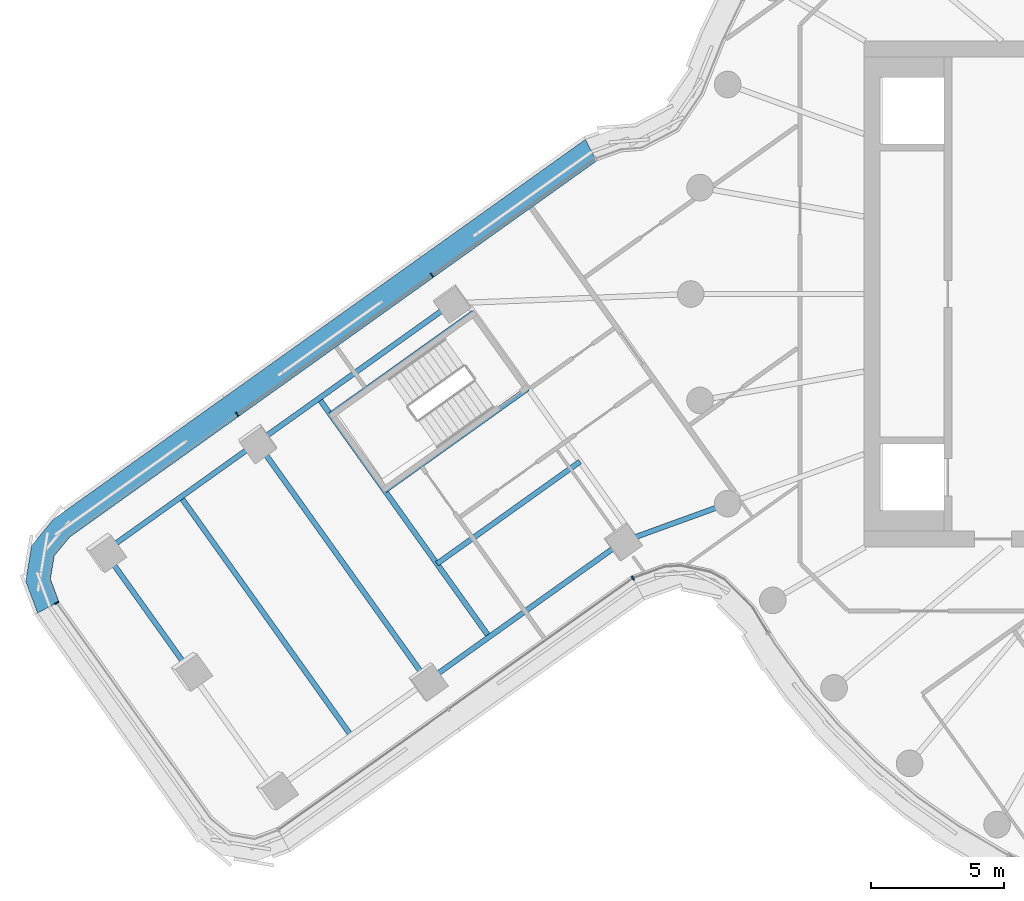
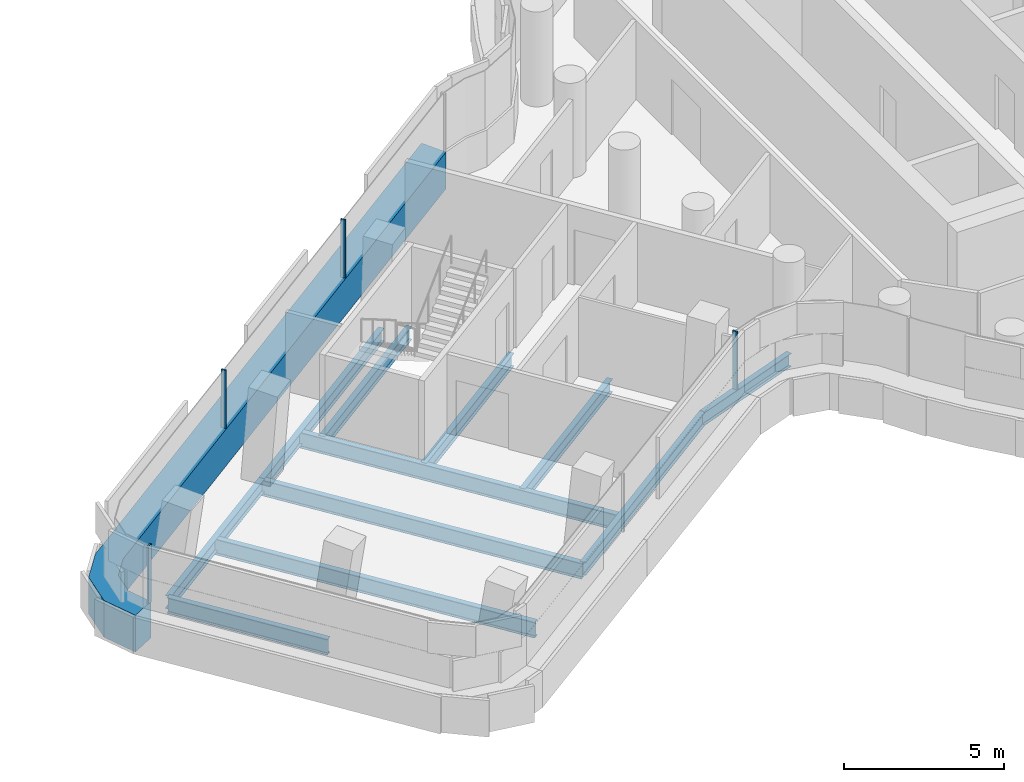
# One storey, part 7 of 31: 11 beams, 5 members, 3 elements without a shape of their own.
"""IFC4 building model written with IfcOpenShell, lengths in metres."""

from ifc_helpers import new_model, si_unit, direction, frame, origin, origin_2d, place, context, subcontext, project, spatial, polyline, rectangle, i_section, outline, extrude, material, layer, layer_set, material_profile, profile_set, type_object, element, aggregate, save


model = new_model("IFC4")

# Units and contexts
model_context = context("Model", 3, precision=1e-05, world=origin(), true_north=direction((0.0, 1.0)))
body_context = subcontext(model_context, "Body", "Model", "MODEL_VIEW")
ifc_project = project(units=[si_unit("LENGTHUNIT", "METRE"), si_unit("AREAUNIT", "SQUARE_METRE"), si_unit("VOLUMEUNIT", "CUBIC_METRE"), si_unit("PLANEANGLEUNIT", "RADIAN"), si_unit("MASSUNIT", "GRAM", prefix="KILO")], contexts=[model_context])

# Site, building, storey
site_placement = place(None, origin())
site = spatial("IfcSite", under=ifc_project, at=site_placement, CompositionType="ELEMENT")
building_placement = place(site_placement, origin())
building = spatial("IfcBuilding", under=site, at=building_placement, Name="Tamarind Cross Interchange Tower", CompositionType="ELEMENT")
storey_placement = place(building_placement, frame((0.0, 0.0, 163.0)))
storey = spatial("IfcBuildingStorey", under=building, at=storey_placement, Name="L40", CompositionType="ELEMENT", Elevation=163.0)

# Beams
ifc_material_1 = material(Name="Steel Q355B", Category="steel")
ifc_material_profile_1 = material_profile(ifc_material_1, i_section(OverallWidth=0.198974609375, OverallDepth=0.49609375, WebThickness=0.009033203125, FlangeThickness=0.013916015625, FilletRadius=0.012939453125, at=origin_2d()), Name="HN 496x199x9x14")
ifc_profile_set_1 = profile_set([ifc_material_profile_1], Name="Steel Q355B")
beam_type_1 = type_object("IfcBeamType", Name="Composite beam HN 496x199x9x14 Q355B", PredefinedType="BEAM", material=ifc_profile_set_1)
beam_1_placement = place(storey_placement, frame((-45.009033203125, -9.66845703125, -0.387939453125), z_axis=(0.813873952861, 0.581041469135, 0.0), x_axis=(-0.581041469135, 0.813873952861, 0.0)))
element("IfcBeam", 1, at=beam_1_placement, inside=storey, type_object=beam_type_1, Name="Beam W-edgeem5", PredefinedType="BEAM", context=body_context, shape_type="SweptSolid", body=[
    extrude(i_section(OverallWidth=0.198974609375, OverallDepth=0.49609375, WebThickness=0.009033203125, FlangeThickness=0.013916015625, FilletRadius=0.012939453125, at=origin_2d()), origin(), (0.0, 0.0, 1.0), 7.044189453125),
])
beam_2_placement = place(storey_placement, frame((-39.27587890625, -5.575439453125, -0.387939453125), z_axis=(0.813883740834, 0.581027758722, 0.0), x_axis=(-0.581027758722, 0.813883740834, 0.0)))
element("IfcBeam", 2, at=beam_2_placement, inside=storey, type_object=beam_type_1, Name="Beam W-edgeem6", PredefinedType="BEAM", context=body_context, shape_type="SweptSolid", body=[
    extrude(i_section(OverallWidth=0.198974609375, OverallDepth=0.49609375, WebThickness=0.009033203125, FlangeThickness=0.013916015625, FilletRadius=0.012939453125, at=origin_2d()), origin(), (0.0, 0.0, 1.0), 9.0),
])
beam_3_placement = place(storey_placement, frame((-32.884521484375, -14.5283203125, -0.387939453125), z_axis=(0.813870912898, 0.581045727236, 0.0), x_axis=(-0.581045727236, 0.813870912898, 0.0)))
element("IfcBeam", 3, at=beam_3_placement, inside=storey, type_object=beam_type_1, Name="Beam W-edgeep3", PredefinedType="BEAM", context=body_context, shape_type="SweptSolid", body=[
    extrude(i_section(OverallWidth=0.198974609375, OverallDepth=0.49609375, WebThickness=0.009033203125, FlangeThickness=0.013916015625, FilletRadius=0.012939453125, at=origin_2d()), origin(), (0.0, 0.0, 1.0), 9.000244140625),
])
beam_4_placement = place(storey_placement, frame((-25.5595703125, -9.298828125, -0.387939453125), z_axis=(0.940002080306, 0.341168710495, 0.0), x_axis=(-0.341168710495, 0.940002080306, 0.0)))
element("IfcBeam", 4, at=beam_4_placement, inside=storey, type_object=beam_type_1, Name="Beam W-linkep", PredefinedType="BEAM", context=body_context, shape_type="SweptSolid", body=[
    extrude(i_section(OverallWidth=0.198974609375, OverallDepth=0.49609375, WebThickness=0.009033203125, FlangeThickness=0.013916015625, FilletRadius=0.012939453125, at=origin_2d()), origin(), (0.0, 0.0, 1.0), 4.198486328125),
])
for number, where, z_axis, x_axis, name in (
    (5, (-31.14892578125, -0.695068359375, -0.387939453125), (-0.813868415176, -0.581049225779, 0.0), (0.581049225779, -0.813868415176, 0.0), "Beam W-tr0"),
    (6, (-29.115234375, -3.543701171875, -0.387939453125), (-0.813868415176, -0.581049225779, 0.0), (0.581049225779, -0.813868415176, 0.0), "Beam W-tr1"),
    (7, (-27.154296875, -6.29052734375, -0.387939453125), (-0.813868415176, -0.581049225779, 0.0), (0.581049225779, -0.813868415176, 0.0), "Beam W-stripp"),
):
    element("IfcBeam", number, at=place(storey_placement, frame(where, z_axis=z_axis, x_axis=x_axis)), inside=storey, type_object=beam_type_1, Name=name, PredefinedType="BEAM", context=body_context, shape_type="SweptSolid", body=[
        extrude(i_section(OverallWidth=0.198974609375, OverallDepth=0.49609375, WebThickness=0.009033203125, FlangeThickness=0.013916015625, FilletRadius=0.012939453125, at=origin_2d()), origin(), (0.0, 0.0, 1.0), 6.60009765625),
    ])
ifc_material_profile_2 = material_profile(ifc_material_1, i_section(OverallWidth=0.199951171875, OverallDepth=0.60009765625, WebThickness=0.010986328125, FlangeThickness=0.01708984375, FilletRadius=0.012939453125, at=origin_2d()), Name="HN 600x200x11x17")
ifc_profile_set_2 = profile_set([ifc_material_profile_2], Name="Steel Q355B")
beam_type_2 = type_object("IfcBeamType", Name="Composite beam HN 600x200x11x17 Q355B", PredefinedType="BEAM", material=ifc_profile_set_2)
beam_5_placement = place(storey_placement, frame((-45.009033203125, -9.66845703125, -0.43994140625), z_axis=(0.581019822317, -0.813889406538, 0.0), x_axis=(0.813889406538, 0.581019822317, 0.0)))
element("IfcBeam", 8, at=beam_5_placement, inside=storey, type_object=beam_type_2, Name="Beam W-tip0", PredefinedType="BEAM", context=body_context, shape_type="SweptSolid", body=[
    extrude(i_section(OverallWidth=0.199951171875, OverallDepth=0.60009765625, WebThickness=0.010986328125, FlangeThickness=0.01708984375, FilletRadius=0.012939453125, at=origin_2d()), origin(), (0.0, 0.0, 1.0), 5.5),
])
beam_6_placement = place(storey_placement, frame((-36.956298828125, -3.919677734375, -0.43994140625), z_axis=(0.581034524332, -0.813878910855, 0.0), x_axis=(0.813878910855, 0.581034524332, 0.0)))
element("IfcBeam", 9, at=beam_6_placement, inside=storey, type_object=beam_type_2, Name="Beam W-x364", PredefinedType="BEAM", context=body_context, shape_type="SweptSolid", body=[
    extrude(i_section(OverallWidth=0.199951171875, OverallDepth=0.60009765625, WebThickness=0.010986328125, FlangeThickness=0.01708984375, FilletRadius=0.012939453125, at=origin_2d()), origin(), (0.0, 0.0, 1.0), 11.0),
])
beam_7_placement = place(storey_placement, frame((-39.27587890625, -5.575439453125, -0.43994140625), z_axis=(0.581024028793, -0.8138864036, 0.0), x_axis=(0.8138864036, 0.581024028793, 0.0)))
element("IfcBeam", 10, at=beam_7_placement, inside=storey, type_object=beam_type_2, Name="Beam W-x393", PredefinedType="BEAM", context=body_context, shape_type="SweptSolid", body=[
    extrude(i_section(OverallWidth=0.199951171875, OverallDepth=0.60009765625, WebThickness=0.010986328125, FlangeThickness=0.01708984375, FilletRadius=0.012939453125, at=origin_2d()), origin(), (0.0, 0.0, 1.0), 11.000244140625),
])
beam_8_placement = place(storey_placement, frame((-42.142333984375, -7.6220703125, -0.43994140625), z_axis=(0.581034524332, -0.813878910855, 0.0), x_axis=(0.813878910855, 0.581034524332, 0.0)))
element("IfcBeam", 11, at=beam_8_placement, inside=storey, type_object=beam_type_2, Name="Beam W-x428", PredefinedType="BEAM", context=body_context, shape_type="SweptSolid", body=[
    extrude(i_section(OverallWidth=0.199951171875, OverallDepth=0.60009765625, WebThickness=0.010986328125, FlangeThickness=0.01708984375, FilletRadius=0.012939453125, at=origin_2d()), origin(), (0.0, 0.0, 1.0), 11.0),
])

# Curtain wall, members
ifc_material_2 = material(Name="Aluminium 6063-T6", Category="aluminium")
ifc_layer = layer(ifc_material_2, 0.159912109375)
ifc_layer_set = layer_set([ifc_layer], Name="Aluminium 6063-T6")
curtain_wall_type = type_object("IfcCurtainWallType", Name="Office curtain wall, 9.0 m bays", PredefinedType="NOTDEFINED", material=ifc_layer_set)
curtain_wall_1_placement = place(storey_placement, origin())
curtain_wall_1 = element("IfcCurtainWall", 12, at=curtain_wall_1_placement, inside=storey, type_object=curtain_wall_type, Name="CWS-L40-11", PredefinedType="NOTDEFINED")
ifc_material_3 = material(Name="Aluminium and insulated spandrel panel", Category="aluminium")
member_type_1 = type_object("IfcMemberType", Name="Floor-edge blade transom", PredefinedType="USERDEFINED", material=ifc_material_3)
member_1_placement = place(storey_placement, origin())
member_1 = element("IfcMember", 13, at=member_1_placement, type_object=member_type_1, Name="CWT-L40-11", ObjectType="TRANSOM", PredefinedType="USERDEFINED", context=body_context, shape_type="SweptSolid", body=[
    extrude(outline(polyline([(-26.531982421875, 4.996826171875), (-46.31103515625, -9.12353515625), (-46.89306640625, -9.830078125), (-47.036865234375, -10.692626953125), (-46.716064453125, -11.550048828125), (-47.517333984375, -11.9765625), (-47.96435546875, -10.782470703125), (-47.740966796875, -9.444091796875), (-46.930419921875, -8.4599609375), (-26.95458984375, 5.80078125), (-26.531982421875, 4.996826171875)])), origin(), (0.0, 0.0, 1.0), 1.39990234375),
])
ifc_material_profile_3 = material_profile(ifc_material_2, rectangle(XDim=0.06005859375, YDim=0.159912109375, at=origin_2d()), Name="Mullion CW1")
ifc_profile_set_3 = profile_set([ifc_material_profile_3], Name="Aluminium 6063-T6")
member_type_2 = type_object("IfcMemberType", Name="Mullion CW1", PredefinedType="MULLION", material=ifc_profile_set_3)
member_2_placement = place(storey_placement, frame((-32.715087890625, 0.70556640625, 1.39990234375), z_axis=(0.0, 0.0, 1.0), x_axis=(-0.81388031548, -0.581032556811, 0.0)))
member_2 = element("IfcMember", 14, at=member_2_placement, type_object=member_type_2, Name="CWM-L40-11-01", PredefinedType="MULLION", context=body_context, shape_type="SweptSolid", body=[
    extrude(rectangle(XDim=0.06005859375, YDim=0.159912109375, at=origin_2d()), origin(), (0.0, 0.0, 1.0), 2.210205078125),
])
member_3_placement = place(storey_placement, frame((-40.023681640625, -4.51220703125, 1.39990234375), z_axis=(0.0, 0.0, 1.0), x_axis=(-0.81388031548, -0.581032556811, 0.0)))
member_3 = element("IfcMember", 15, at=member_3_placement, type_object=member_type_2, Name="CWM-L40-11-02", PredefinedType="MULLION", context=body_context, shape_type="SweptSolid", body=[
    extrude(rectangle(XDim=0.06005859375, YDim=0.159912109375, at=origin_2d()), origin(), (0.0, 0.0, 1.0), 2.210205078125),
])
aggregate(curtain_wall_1, [member_2, member_3, member_1])

# Curtain wall, member
curtain_wall_2_placement = place(storey_placement, origin())
curtain_wall_2 = element("IfcCurtainWall", 16, at=curtain_wall_2_placement, inside=storey, type_object=curtain_wall_type, Name="CWS-L40-12", PredefinedType="NOTDEFINED")
member_4_placement = place(storey_placement, frame((-46.80517578125, -11.597412109375, 1.39990234375), z_axis=(0.0, 0.0, 1.0), x_axis=(0.469829044238, -0.882757423753, 0.0)))
member_4 = element("IfcMember", 17, at=member_4_placement, type_object=member_type_2, Name="CWM-L40-12-00", PredefinedType="MULLION", context=body_context, shape_type="SweptSolid", body=[
    extrude(rectangle(XDim=0.06005859375, YDim=0.159912109375, at=origin_2d()), origin(), (0.0, 0.0, 1.0), 2.210205078125),
])
aggregate(curtain_wall_2, [member_4])

curtain_wall_3_placement = place(storey_placement, origin())
curtain_wall_3 = element("IfcCurtainWall", 18, at=curtain_wall_3_placement, inside=storey, type_object=curtain_wall_type, Name="CWS-L40-14", PredefinedType="NOTDEFINED")
member_5_placement = place(storey_placement, frame((-25.169189453125, -10.663818359375, 1.39990234375), z_axis=(0.0, 0.0, 1.0), x_axis=(0.886504008306, 0.462720912924, 0.0)))
member_5 = element("IfcMember", 19, at=member_5_placement, type_object=member_type_2, Name="CWM-L40-14-00", PredefinedType="MULLION", context=body_context, shape_type="SweptSolid", body=[
    extrude(rectangle(XDim=0.06005859375, YDim=0.159912109375, at=origin_2d()), origin(), (0.0, 0.0, 1.0), 2.210205078125),
])
aggregate(curtain_wall_3, [member_5])

save(model, "model.ifc")
